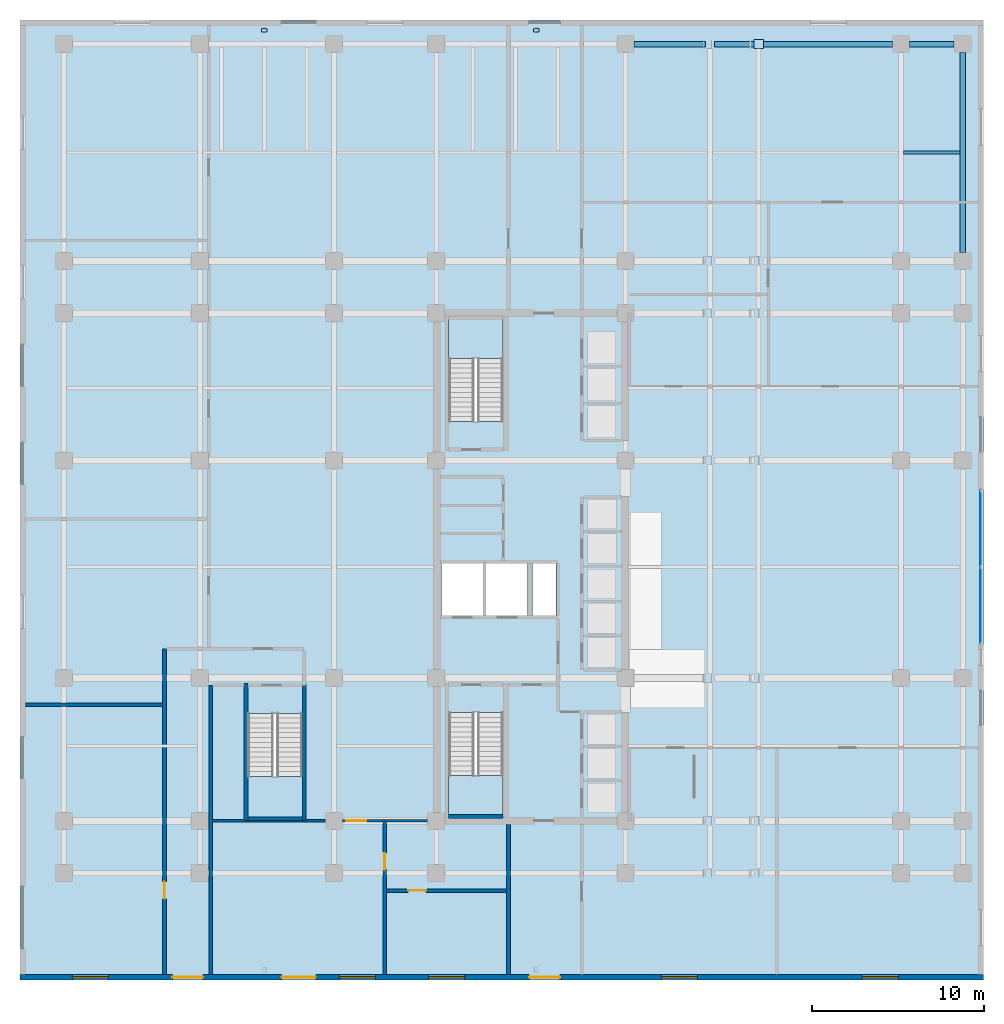
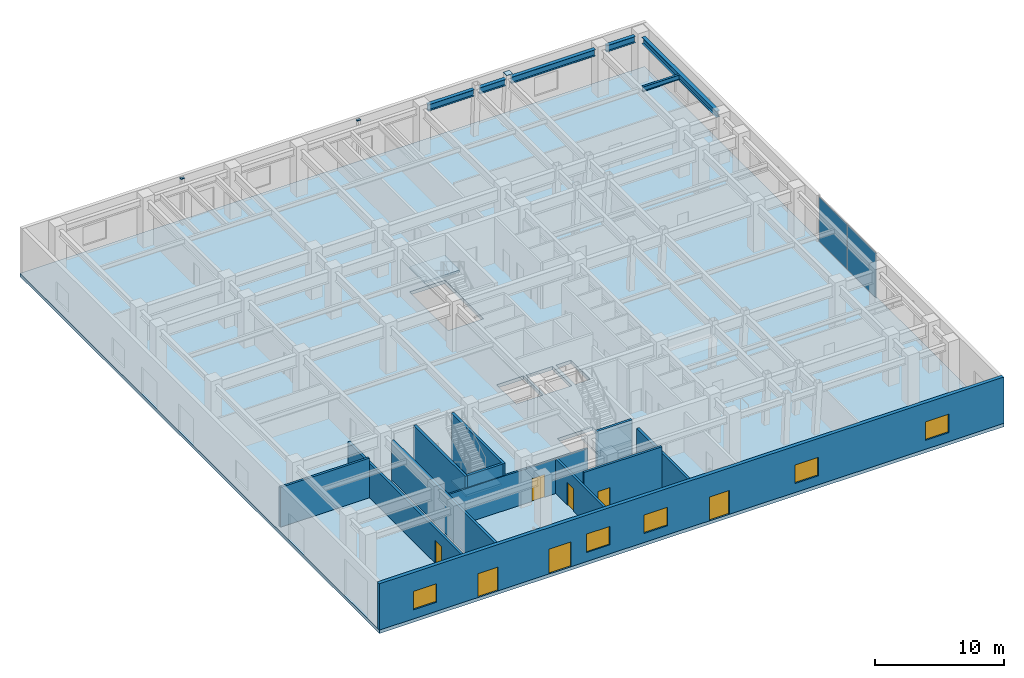
# One storey, part 7 of 13: 12 walls, 7 doors, 6 beams, 5 plates, 5 windows, 4 slabs, 12 openings, 4 elements without a shape of their own.
"""IFC4 building model written with IfcOpenShell, lengths in metres."""

from ifc_helpers import new_model, si_unit, direction, frame, frame_2d, origin, origin_2d, place, context, subcontext, project, spatial, polyline, rectangle, i_section, outline, extrude, material, layer, layer_set, material_profile, profile_set, type_object, element, fill, aggregate, save


model = new_model("IFC4")

# Units and contexts
model_context = context("Model", 3, precision=1e-05, world=origin(), true_north=direction((0.0, 1.0)))
body_context = subcontext(model_context, "Body", "Model", "MODEL_VIEW")
ifc_project = project(units=[si_unit("LENGTHUNIT", "METRE"), si_unit("AREAUNIT", "SQUARE_METRE"), si_unit("VOLUMEUNIT", "CUBIC_METRE"), si_unit("PLANEANGLEUNIT", "RADIAN"), si_unit("MASSUNIT", "GRAM", prefix="KILO")], contexts=[model_context])

# Site, building, storey
site_placement = place(None, origin())
site = spatial("IfcSite", under=ifc_project, at=site_placement, CompositionType="ELEMENT")
building_placement = place(site_placement, origin())
building = spatial("IfcBuilding", under=site, at=building_placement, Name="Ochreholt Gables", CompositionType="ELEMENT")
storey_placement = place(building_placement, origin())
storey = spatial("IfcBuildingStorey", under=building, at=storey_placement, Name="L00", CompositionType="ELEMENT", Elevation=0.0)

# Beams
ifc_material_1 = material(Name="Steel CSA G40.21 350W", Category="steel")
ifc_material_profile_1 = material_profile(ifc_material_1, i_section(OverallWidth=0.18994140625, OverallDepth=0.45703125, WebThickness=0.009033203125, FlangeThickness=0.014404296875, at=origin_2d()), Name="W460X74")
ifc_profile_set_1 = profile_set([ifc_material_profile_1], Name="Steel CSA G40.21 350W")
beam_type_1 = type_object("IfcBeamType", Name="BM-J-W460B", PredefinedType="JOIST", material=ifc_profile_set_1)
beam_1_placement = place(storey_placement, frame((51.3466796875, 48.10009765625, 4.16162109375), z_axis=(1.0, 0.0, 0.0), x_axis=(0.0, 1.0, 0.0)))
element("IfcBeam", 1, at=beam_1_placement, inside=storey, type_object=beam_type_1, Name="L00 Beam BJ-L00-J4-E3E4", PredefinedType="JOIST", context=body_context, shape_type="SweptSolid", body=[
    extrude(i_section(OverallWidth=0.18994140625, OverallDepth=0.45703125, WebThickness=0.009033203125, FlangeThickness=0.014404296875, at=origin_2d()), origin(), (0.0, 0.0, 1.0), 3.291748046875),
])
ifc_material_profile_2 = material_profile(ifc_material_1, i_section(OverallWidth=0.323974609375, OverallDepth=0.611083984375, WebThickness=0.0126953125, FlangeThickness=0.01904296875, at=origin_2d()), Name="W610X155")
ifc_profile_set_2 = profile_set([ifc_material_profile_2], Name="Steel CSA G40.21 350W")
beam_type_2 = type_object("IfcBeamType", Name="BM-SP-W610", PredefinedType="SPANDREL", material=ifc_profile_set_2)
beam_2_placement = place(storey_placement, frame((35.69970703125, 54.39990234375, 4.08447265625), z_axis=(1.0, 0.0, 0.0), x_axis=(0.0, 1.0, 0.0)))
element("IfcBeam", 2, at=beam_2_placement, inside=storey, type_object=beam_type_2, Name="L00 Beam BG-L00-C2EM-Y7", PredefinedType="SPANDREL", context=body_context, shape_type="SweptSolid", body=[
    extrude(i_section(OverallWidth=0.323974609375, OverallDepth=0.611083984375, WebThickness=0.0126953125, FlangeThickness=0.01904296875, at=origin_2d()), origin(), (0.0, 0.0, 1.0), 4.15478515625),
])
beam_3_placement = place(storey_placement, frame((40.353515625, 54.39990234375, 4.08447265625), z_axis=(1.0, 0.0, 0.0), x_axis=(0.0, 1.0, 0.0)))
element("IfcBeam", 3, at=beam_3_placement, inside=storey, type_object=beam_type_2, Name="L00 Beam BG-L00-EMEE-Y7", PredefinedType="SPANDREL", context=body_context, shape_type="SweptSolid", body=[
    extrude(i_section(OverallWidth=0.323974609375, OverallDepth=0.611083984375, WebThickness=0.0126953125, FlangeThickness=0.01904296875, at=origin_2d()), origin(), (0.0, 0.0, 1.0), 2.33203125),
])
beam_4_placement = place(storey_placement, frame((43.184814453125, 54.39990234375, 4.08447265625), z_axis=(1.0, 0.0, 0.0), x_axis=(0.0, 1.0, 0.0)))
element("IfcBeam", 4, at=beam_4_placement, inside=storey, type_object=beam_type_2, Name="L00 Beam BG-L00-EEE3-Y7", PredefinedType="SPANDREL", context=body_context, shape_type="SweptSolid", body=[
    extrude(i_section(OverallWidth=0.323974609375, OverallDepth=0.611083984375, WebThickness=0.0126953125, FlangeThickness=0.01904296875, at=origin_2d()), origin(), (0.0, 0.0, 1.0), 7.515625),
])
beam_5_placement = place(storey_placement, frame((51.69970703125, 54.39990234375, 4.08447265625), z_axis=(1.0, 0.0, 0.0), x_axis=(0.0, 1.0, 0.0)))
element("IfcBeam", 5, at=beam_5_placement, inside=storey, type_object=beam_type_2, Name="L00 Beam BG-L00-E3E4-Y7", PredefinedType="SPANDREL", context=body_context, shape_type="SweptSolid", body=[
    extrude(i_section(OverallWidth=0.323974609375, OverallDepth=0.611083984375, WebThickness=0.0126953125, FlangeThickness=0.01904296875, at=origin_2d()), origin(), (0.0, 0.0, 1.0), 2.6005859375),
])
beam_6_placement = place(storey_placement, frame((54.800048828125, 42.299560546875, 4.08447265625), z_axis=(0.0, 1.0, 0.0), x_axis=(-1.0, 0.0, 0.0)))
element("IfcBeam", 6, at=beam_6_placement, inside=storey, type_object=beam_type_2, Name="L00 Beam BG-L00-E4-Y6Y7", PredefinedType="SPANDREL", context=body_context, shape_type="SweptSolid", body=[
    extrude(i_section(OverallWidth=0.323974609375, OverallDepth=0.611083984375, WebThickness=0.0126953125, FlangeThickness=0.01904296875, at=origin_2d()), origin(), (0.0, 0.0, 1.0), 11.600830078125),
])

# Curtain wall, plates
ifc_material_2 = material(Name="Unitised Aluminium and Triple Glazing", Category="aluminium")
ifc_layer_1 = layer(ifc_material_2, 0.199951171875, Name="Unitised Aluminium and Triple Glazing")
ifc_layer_set_1 = layer_set([ifc_layer_1], Name="Unitised Aluminium and Triple Glazing")
curtain_wall_type = type_object("IfcCurtainWallType", Name="CW-SYS1", PredefinedType="NOTDEFINED", material=ifc_layer_set_1)
curtain_wall_placement = place(storey_placement, origin())
curtain_wall = element("IfcCurtainWall", 7, at=curtain_wall_placement, inside=storey, type_object=curtain_wall_type, Name="L00 Main Lobby Curtain Wall", PredefinedType="NOTDEFINED")
ifc_material_3 = material(Name="Triple Low-E Insulating Glass", Category="glass")
ifc_layer_2 = layer(ifc_material_3, 0.035888671875, Name="Triple Low-E Insulating Glass")
ifc_layer_set_2 = layer_set([ifc_layer_2], Name="Triple Low-E Insulating Glass")
plate_type_1 = type_object("IfcPlateType", Name="CW-PNL-36", PredefinedType="CURTAIN_PANEL", material=ifc_layer_set_2)
plate_1_placement = place(storey_placement, frame((55.840087890625, 21.768798828125, 0.0751953125), z_axis=(0.0, 0.0, 1.0), x_axis=(0.0, 1.0, 0.0)))
plate_1 = element("IfcPlate", 8, at=plate_1_placement, type_object=plate_type_1, Name="CW-1 panel 1.1", PredefinedType="CURTAIN_PANEL", context=body_context, shape_type="SweptSolid", body=[
    extrude(rectangle(XDim=4.387451171875, YDim=0.035888671875, at=origin_2d()), origin(), (0.0, 0.0, 1.0), 4.239990234375),
])
plate_2_placement = place(storey_placement, frame((55.840087890625, 26.231201171875, 0.0751953125), z_axis=(0.0, 0.0, 1.0), x_axis=(0.0, 1.0, 0.0)))
plate_2 = element("IfcPlate", 9, at=plate_2_placement, type_object=plate_type_1, Name="CW-1 panel 2.1", PredefinedType="CURTAIN_PANEL", context=body_context, shape_type="SweptSolid", body=[
    extrude(rectangle(XDim=4.387451171875, YDim=0.035888671875, at=origin_2d()), origin(), (0.0, 0.0, 1.0), 4.239990234375),
])
aggregate(curtain_wall, [plate_1, plate_2])

# Stair, slab
ifc_material_4 = material(Name="Concrete 40 MPa", Category="concrete")
stair_type_1 = type_object("IfcStairType", Name="STAIR-CORE-ST-1", PredefinedType="HALF_TURN_STAIR", material=ifc_material_4)
stair_1_placement = place(storey_placement, origin())
stair_1 = element("IfcStair", 10, at=stair_1_placement, inside=storey, type_object=stair_type_1, Name="L00 Core Exit Stair 1", PredefinedType="HALF_TURN_STAIR")
ifc_layer_3 = layer(ifc_material_4, 0.199951171875, Name="Concrete 40 MPa")
ifc_layer_set_3 = layer_set([ifc_layer_3], Name="Concrete 40 MPa")
slab_type_1 = type_object("IfcSlabType", Name="LANDING-RC200", PredefinedType="LANDING", material=ifc_layer_set_3)
slab_1_placement = place(storey_placement, frame((0.0, 0.0, 2.199951171875)))
slab_1 = element("IfcSlab", 11, at=slab_1_placement, type_object=slab_type_1, Name="ST-1 landing 1", PredefinedType="LANDING", context=body_context, shape_type="SweptSolid", body=[
    extrude(outline(polyline([(24.919921875, 11.8740234375), (24.919921875, 9.52001953125), (28.080078125, 9.52001953125), (28.080078125, 11.8740234375), (24.919921875, 11.8740234375)])), origin(), (0.0, 0.0, 1.0), 0.199951171875),
])
aggregate(stair_1, [slab_1])

stair_type_2 = type_object("IfcStairType", Name="STAIR-CORE-ST-2", PredefinedType="HALF_TURN_STAIR", material=ifc_material_4)
stair_2_placement = place(storey_placement, origin())
stair_2 = element("IfcStair", 12, at=stair_2_placement, inside=storey, type_object=stair_type_2, Name="L00 Core Exit Stair 2", PredefinedType="HALF_TURN_STAIR")
slab_2_placement = place(storey_placement, frame((0.0, 0.0, 2.199951171875)))
slab_2 = element("IfcSlab", 13, at=slab_2_placement, type_object=slab_type_1, Name="ST-2 landing 1", PredefinedType="LANDING", context=body_context, shape_type="SweptSolid", body=[
    extrude(outline(polyline([(28.080078125, 36.1259765625), (28.080078125, 38.47998046875), (24.919921875, 38.47998046875), (24.919921875, 36.1259765625), (28.080078125, 36.1259765625)])), origin(), (0.0, 0.0, 1.0), 0.199951171875),
])
aggregate(stair_2, [slab_2])

stair_type_3 = type_object("IfcStairType", Name="STAIR-CORE-ST-P1", PredefinedType="HALF_TURN_STAIR", material=ifc_material_4)
stair_3_placement = place(storey_placement, origin())
stair_3 = element("IfcStair", 14, at=stair_3_placement, inside=storey, type_object=stair_type_3, Name="L00 Podium Exit Stair 3", PredefinedType="HALF_TURN_STAIR")
slab_3_placement = place(storey_placement, frame((0.0, 0.0, 2.199951171875)))
slab_3 = element("IfcSlab", 15, at=slab_3_placement, type_object=slab_type_1, Name="ST-P1 landing 1", PredefinedType="LANDING", context=body_context, shape_type="SweptSolid", body=[
    extrude(outline(polyline([(13.25, 11.833984375), (13.25, 9.47998046875), (16.409912109375, 9.47998046875), (16.409912109375, 11.833984375), (13.25, 11.833984375)])), origin(), (0.0, 0.0, 1.0), 0.199951171875),
])
aggregate(stair_3, [slab_3])

# Plates
ifc_layer_4 = layer(ifc_material_1, 0.02490234375, Name="Steel CSA G40.21 350W")
ifc_layer_set_4 = layer_set([ifc_layer_4], Name="Steel CSA G40.21 350W")
plate_type_2 = type_object("IfcPlateType", Name="PL-ECP", PredefinedType="USERDEFINED", material=ifc_layer_set_4)
plate_3_placement = place(storey_placement, frame((42.933837890625, 54.39990234375, 4.774658203125), z_axis=(0.0, 0.0, 1.0), x_axis=(1.0, 0.0, 0.0)))
element("IfcPlate", 16, at=plate_3_placement, inside=storey, type_object=plate_type_2, Name="L00 Hollow Column Welded End Cap Plate EEY7", ObjectType="END CAP PLATE", PredefinedType="USERDEFINED", context=body_context, shape_type="SweptSolid", body=[
    extrude(rectangle(XDim=0.5400390625, YDim=0.5400390625, at=origin_2d()), origin(), (0.0, 0.0, 1.0), 0.02490234375),
])
for number, where, z_axis, x_axis, name in (
    (17, (14.199951171875, 55.199951171875, 4.3896484375), (0.0, 0.0, 1.0), (1.0, 0.0, 0.0), "L00 Engaged Pilaster Welded End Cap Plate PL3"),
    (18, (30.0, 55.199951171875, 4.3896484375), (0.0, 0.0, 1.0), (1.0, 0.0, 0.0), "L00 Engaged Pilaster Welded End Cap Plate PL4"),
):
    element("IfcPlate", number, at=place(storey_placement, frame(where, z_axis=z_axis, x_axis=x_axis)), inside=storey, type_object=plate_type_2, Name=name, ObjectType="END CAP PLATE", PredefinedType="USERDEFINED", context=body_context, shape_type="SweptSolid", body=[
        extrude(rectangle(XDim=0.320068359375, YDim=0.219970703125, at=origin_2d()), origin(), (0.0, 0.0, 1.0), 0.02490234375),
    ])

# Slab
ifc_material_5 = material(Name="Concrete 50 MPa", Category="concrete")
ifc_layer_5 = layer(ifc_material_5, 0.320068359375, Name="Concrete 50 MPa")
ifc_layer_set_5 = layer_set([ifc_layer_5], Name="Concrete 50 MPa")
slab_type_2 = type_object("IfcSlabType", Name="SLAB-POD-320", PredefinedType="FLOOR", material=ifc_layer_set_5)
slab_4_placement = place(storey_placement, frame((0.0, 0.0, -0.320068359375)))
element("IfcSlab", 19, at=slab_4_placement, inside=storey, type_object=slab_type_2, Name="L00 Structural Floor Slab", PredefinedType="FLOOR", context=body_context, shape_type="SweptSolid", body=[
    extrude(outline(polyline([(0.0, 0.0), (56.0, 0.0), (56.0, 55.800048828125), (0.0, 55.800048828125), (0.0, 0.0)]), holes=[polyline([(24.919921875, 15.539306640625), (24.919921875, 9.52001953125), (28.080078125, 9.52001953125), (28.080078125, 15.539306640625), (24.919921875, 15.539306640625)]), polyline([(28.080078125, 32.460693359375), (28.080078125, 38.47998046875), (24.919921875, 38.47998046875), (24.919921875, 32.460693359375), (28.080078125, 32.460693359375)]), polyline([(13.25, 15.499267578125), (13.25, 9.47998046875), (16.409912109375, 9.47998046875), (16.409912109375, 15.499267578125), (13.25, 15.499267578125)]), polyline([(24.5, 21.199951171875), (26.89990234375, 21.199951171875), (26.89990234375, 24.199951171875), (24.5, 24.199951171875), (24.5, 21.199951171875)]), polyline([(27.10009765625, 21.199951171875), (29.5, 21.199951171875), (29.5, 24.199951171875), (27.10009765625, 24.199951171875), (27.10009765625, 21.199951171875)]), polyline([(29.800048828125, 21.199951171875), (31.14990234375, 21.199951171875), (31.14990234375, 24.199951171875), (29.800048828125, 24.199951171875), (29.800048828125, 21.199951171875)])]), origin(), (0.0, 0.0, 1.0), 0.320068359375),
])

# Wall, openings, doors, windows
ifc_material_6 = material(Name="Precast concrete 40 MPa", Category="concrete")
ifc_layer_6 = layer(ifc_material_6, 0.320068359375, Name="Precast concrete 40 MPa")
ifc_layer_set_6 = layer_set([ifc_layer_6], Name="Precast concrete 40 MPa")
wall_type_1 = type_object("IfcWallType", Name="WALL-EXT-320", PredefinedType="SOLIDWALL", material=ifc_layer_set_6)
wall_1_placement = place(storey_placement, frame((0.0, 0.159912109375, 0.0), z_axis=(0.0, 0.0, 1.0), x_axis=(1.0, 0.0, 0.0)))
wall_1 = element("IfcWall", 20, at=wall_1_placement, inside=storey, type_object=wall_type_1, Name="L00 South Exterior Facade Wall", PredefinedType="SOLIDWALL", context=body_context, shape_type="SweptSolid", body=[
    extrude(rectangle(XDim=56.0, YDim=0.320068359375, at=frame_2d((28.0, 0.0))), origin(), (0.0, 0.0, 1.0), 4.389892578125),
])
opening_1_placement = place(wall_1_placement, frame((8.85009765625, 0.0, 0.0)))
opening_1 = element("IfcOpeningElement", 21, at=opening_1_placement, cuts=wall_1, Name="Opening D-EX2", PredefinedType="OPENING", context=body_context, shape_type="SweptSolid", body=[
    extrude(rectangle(XDim=1.800048828125, YDim=2.25, at=frame_2d((0.89990234375, 1.125))), frame((0.0, 0.169921875, 0.0), z_axis=(0.0, -1.0, 0.0), x_axis=(1.0, 0.0, 0.0)), (0.0, 0.0, 1.0), 0.340087890625),
])
opening_2_placement = place(wall_1_placement, frame((15.199951171875, 0.0, 0.0)))
opening_2 = element("IfcOpeningElement", 22, at=opening_2_placement, cuts=wall_1, Name="Opening D-EX1", PredefinedType="OPENING", context=body_context, shape_type="SweptSolid", body=[
    extrude(rectangle(XDim=2.0, YDim=2.35009765625, at=frame_2d((1.0, 1.175048828125))), frame((0.0, 0.169921875, 0.0), z_axis=(0.0, -1.0, 0.0), x_axis=(1.0, 0.0, 0.0)), (0.0, 0.0, 1.0), 0.340087890625),
])
opening_3_placement = place(wall_1_placement, frame((29.60009765625, 0.0, 0.0)))
opening_3 = element("IfcOpeningElement", 23, at=opening_3_placement, cuts=wall_1, Name="Opening D-EX2", PredefinedType="OPENING", context=body_context, shape_type="SweptSolid", body=[
    extrude(rectangle(XDim=1.800048828125, YDim=2.25, at=frame_2d((0.89990234375, 1.125))), frame((0.0, 0.169921875, 0.0), z_axis=(0.0, -1.0, 0.0), x_axis=(1.0, 0.0, 0.0)), (0.0, 0.0, 1.0), 0.340087890625),
])
opening_4_placement = place(wall_1_placement, frame((3.0400390625, 0.0, 0.85009765625)))
opening_4 = element("IfcOpeningElement", 24, at=opening_4_placement, cuts=wall_1, Name="Opening WN-4", PredefinedType="OPENING", context=body_context, shape_type="SweptSolid", body=[
    extrude(rectangle(XDim=2.10009765625, YDim=1.75, at=frame_2d((1.050048828125, 0.875))), frame((0.0, 0.169921875, 0.0), z_axis=(0.0, -1.0, 0.0), x_axis=(1.0, 0.0, 0.0)), (0.0, 0.0, 1.0), 0.340087890625),
])
opening_5_placement = place(wall_1_placement, frame((18.56005859375, 0.0, 0.85009765625)))
opening_5 = element("IfcOpeningElement", 25, at=opening_5_placement, cuts=wall_1, Name="Opening WN-4", PredefinedType="OPENING", context=body_context, shape_type="SweptSolid", body=[
    extrude(rectangle(XDim=2.10009765625, YDim=1.75, at=frame_2d((1.050048828125, 0.875))), frame((0.0, 0.169921875, 0.0), z_axis=(0.0, -1.0, 0.0), x_axis=(1.0, 0.0, 0.0)), (0.0, 0.0, 1.0), 0.340087890625),
])
opening_6_placement = place(wall_1_placement, frame((23.7451171875, 0.0, 0.85009765625)))
opening_6 = element("IfcOpeningElement", 26, at=opening_6_placement, cuts=wall_1, Name="Opening WN-4", PredefinedType="OPENING", context=body_context, shape_type="SweptSolid", body=[
    extrude(rectangle(XDim=2.10009765625, YDim=1.75, at=frame_2d((1.050048828125, 0.875))), frame((0.0, 0.169921875, 0.0), z_axis=(0.0, -1.0, 0.0), x_axis=(1.0, 0.0, 0.0)), (0.0, 0.0, 1.0), 0.340087890625),
])
opening_7_placement = place(wall_1_placement, frame((37.27490234375, 0.0, 0.85009765625)))
opening_7 = element("IfcOpeningElement", 27, at=opening_7_placement, cuts=wall_1, Name="Opening WN-4", PredefinedType="OPENING", context=body_context, shape_type="SweptSolid", body=[
    extrude(rectangle(XDim=2.10009765625, YDim=1.75, at=frame_2d((1.050048828125, 0.875))), frame((0.0, 0.169921875, 0.0), z_axis=(0.0, -1.0, 0.0), x_axis=(1.0, 0.0, 0.0)), (0.0, 0.0, 1.0), 0.340087890625),
])
opening_8_placement = place(wall_1_placement, frame((48.949951171875, 0.0, 0.85009765625)))
opening_8 = element("IfcOpeningElement", 28, at=opening_8_placement, cuts=wall_1, Name="Opening WN-4", PredefinedType="OPENING", context=body_context, shape_type="SweptSolid", body=[
    extrude(rectangle(XDim=2.10009765625, YDim=1.75, at=frame_2d((1.050048828125, 0.875))), frame((0.0, 0.169921875, 0.0), z_axis=(0.0, -1.0, 0.0), x_axis=(1.0, 0.0, 0.0)), (0.0, 0.0, 1.0), 0.340087890625),
])
ifc_material_7 = material(Name="Thermally Broken Insulated Steel and Glass Door", Category="steel")
door_type_1 = type_object("IfcDoorType", Name="DR-EXT-ENT2000", OperationType="NOTDEFINED", PredefinedType="DOOR", material=ifc_material_7)
door_1_placement = place(opening_2_placement, frame((2.0, 0.0, 0.0), z_axis=(0.0, 0.0, 1.0), x_axis=(-1.0, 0.0, 0.0)))
door_1 = element("IfcDoor", 29, at=door_1_placement, inside=storey, type_object=door_type_1, Name="L00 South Concourse Exit Door", OperationType="SINGLE_SWING_LEFT", OverallHeight=2.35009765625, OverallWidth=2.0, PredefinedType="DOOR", context=body_context, shape_type="SweptSolid", body=[
    extrude(rectangle(XDim=2.0, YDim=2.35009765625, at=frame_2d((1.0, 1.175048828125))), frame((0.0, 0.02490234375, 0.0), z_axis=(0.0, -1.0, 0.0), x_axis=(1.0, 0.0, 0.0)), (0.0, 0.0, 1.0), 0.050048828125),
])
fill(opening_2, door_1)
door_type_2 = type_object("IfcDoorType", Name="DR-EXT-ESC1800", OperationType="NOTDEFINED", PredefinedType="DOOR", material=ifc_material_7)
door_2_placement = place(opening_1_placement, frame((1.800048828125, 0.0, 0.0), z_axis=(0.0, 0.0, 1.0), x_axis=(-1.0, 0.0, 0.0)))
door_2 = element("IfcDoor", 30, at=door_2_placement, inside=storey, type_object=door_type_2, Name="L00 West Stair Final Exit Door", OperationType="SINGLE_SWING_LEFT", OverallHeight=2.25, OverallWidth=1.800048828125, PredefinedType="DOOR", context=body_context, shape_type="SweptSolid", body=[
    extrude(rectangle(XDim=1.800048828125, YDim=2.25, at=frame_2d((0.89990234375, 1.125))), frame((0.0, 0.02490234375, 0.0), z_axis=(0.0, -1.0, 0.0), x_axis=(1.0, 0.0, 0.0)), (0.0, 0.0, 1.0), 0.050048828125),
])
fill(opening_1, door_2)
door_3_placement = place(opening_3_placement, frame((1.800048828125, 0.0, 0.0), z_axis=(0.0, 0.0, 1.0), x_axis=(-1.0, 0.0, 0.0)))
door_3 = element("IfcDoor", 31, at=door_3_placement, inside=storey, type_object=door_type_2, Name="L00 South Core Final Exit Door", OperationType="SINGLE_SWING_LEFT", OverallHeight=2.25, OverallWidth=1.800048828125, PredefinedType="DOOR", context=body_context, shape_type="SweptSolid", body=[
    extrude(rectangle(XDim=1.800048828125, YDim=2.25, at=frame_2d((0.89990234375, 1.125))), frame((0.0, 0.02490234375, 0.0), z_axis=(0.0, -1.0, 0.0), x_axis=(1.0, 0.0, 0.0)), (0.0, 0.0, 1.0), 0.050048828125),
])
fill(opening_3, door_3)
ifc_material_8 = material(Name="Triple-Glazed Thermally Broken Aluminium Window", Category="aluminium")
window_type = type_object("IfcWindowType", Name="WIN-CLN-2100", PartitioningType="SINGLE_PANEL", PredefinedType="WINDOW", material=ifc_material_8)
window_1_placement = place(opening_4_placement, origin())
window_1 = element("IfcWindow", 32, at=window_1_placement, inside=storey, type_object=window_type, Name="L00 Window W-EXT-S-L00-1", OverallHeight=1.75, OverallWidth=2.10009765625, PartitioningType="SINGLE_PANEL", PredefinedType="WINDOW", context=body_context, shape_type="SweptSolid", body=[
    extrude(rectangle(XDim=2.10009765625, YDim=1.75, at=frame_2d((1.050048828125, 0.875))), frame((0.0, 0.030029296875, 0.0), z_axis=(0.0, -1.0, 0.0), x_axis=(1.0, 0.0, 0.0)), (0.0, 0.0, 1.0), 0.06005859375),
])
fill(opening_4, window_1)
window_2_placement = place(opening_5_placement, origin())
window_2 = element("IfcWindow", 33, at=window_2_placement, inside=storey, type_object=window_type, Name="L00 Window W-EXT-S-L00-2", OverallHeight=1.75, OverallWidth=2.10009765625, PartitioningType="SINGLE_PANEL", PredefinedType="WINDOW", context=body_context, shape_type="SweptSolid", body=[
    extrude(rectangle(XDim=2.10009765625, YDim=1.75, at=frame_2d((1.050048828125, 0.875))), frame((0.0, 0.030029296875, 0.0), z_axis=(0.0, -1.0, 0.0), x_axis=(1.0, 0.0, 0.0)), (0.0, 0.0, 1.0), 0.06005859375),
])
fill(opening_5, window_2)
window_3_placement = place(opening_6_placement, origin())
window_3 = element("IfcWindow", 34, at=window_3_placement, inside=storey, type_object=window_type, Name="L00 Window W-EXT-S-L00-3", OverallHeight=1.75, OverallWidth=2.10009765625, PartitioningType="SINGLE_PANEL", PredefinedType="WINDOW", context=body_context, shape_type="SweptSolid", body=[
    extrude(rectangle(XDim=2.10009765625, YDim=1.75, at=frame_2d((1.050048828125, 0.875))), frame((0.0, 0.030029296875, 0.0), z_axis=(0.0, -1.0, 0.0), x_axis=(1.0, 0.0, 0.0)), (0.0, 0.0, 1.0), 0.06005859375),
])
fill(opening_6, window_3)
window_4_placement = place(opening_7_placement, origin())
window_4 = element("IfcWindow", 35, at=window_4_placement, inside=storey, type_object=window_type, Name="L00 Window W-EXT-S-L00-4", OverallHeight=1.75, OverallWidth=2.10009765625, PartitioningType="SINGLE_PANEL", PredefinedType="WINDOW", context=body_context, shape_type="SweptSolid", body=[
    extrude(rectangle(XDim=2.10009765625, YDim=1.75, at=frame_2d((1.050048828125, 0.875))), frame((0.0, 0.030029296875, 0.0), z_axis=(0.0, -1.0, 0.0), x_axis=(1.0, 0.0, 0.0)), (0.0, 0.0, 1.0), 0.06005859375),
])
fill(opening_7, window_4)
window_5_placement = place(opening_8_placement, origin())
window_5 = element("IfcWindow", 36, at=window_5_placement, inside=storey, type_object=window_type, Name="L00 Window W-EXT-S-L00-5", OverallHeight=1.75, OverallWidth=2.10009765625, PartitioningType="SINGLE_PANEL", PredefinedType="WINDOW", context=body_context, shape_type="SweptSolid", body=[
    extrude(rectangle(XDim=2.10009765625, YDim=1.75, at=frame_2d((1.050048828125, 0.875))), frame((0.0, 0.030029296875, 0.0), z_axis=(0.0, -1.0, 0.0), x_axis=(1.0, 0.0, 0.0)), (0.0, 0.0, 1.0), 0.06005859375),
])
fill(opening_8, window_5)

# Wall, opening, door
ifc_layer_7 = layer(ifc_material_4, 0.199951171875, Name="Concrete 40 MPa")
ifc_layer_set_7 = layer_set([ifc_layer_7], Name="Concrete 40 MPa")
wall_type_2 = type_object("IfcWallType", Name="WALL-INT-CF200", PredefinedType="STANDARD", material=ifc_layer_set_7)
wall_2_placement = place(storey_placement, frame((21.199951171875, 0.320068359375, 0.0), z_axis=(0.0, 0.0, 1.0), x_axis=(0.0, 1.0, 0.0)))
wall_2 = element("IfcWall", 37, at=wall_2_placement, inside=storey, type_object=wall_type_2, Name="L00 Interior Wall WI-FCC-W", PredefinedType="STANDARD", context=body_context, shape_type="SweptSolid", body=[
    extrude(rectangle(XDim=8.929931640625, YDim=0.199951171875, at=frame_2d((4.46484375, 0.0))), origin(), (0.0, 0.0, 1.0), 3.27197265625),
])
opening_9_placement = place(wall_2_placement, frame((6.10009765625, 0.0, 0.0)))
opening_9 = element("IfcOpeningElement", 38, at=opening_9_placement, cuts=wall_2, Name="Opening D-GN1", PredefinedType="OPENING", context=body_context, shape_type="SweptSolid", body=[
    extrude(rectangle(XDim=0.949951171875, YDim=2.14990234375, at=frame_2d((0.47509765625, 1.074951171875))), frame((0.0, 0.10986328125, 0.0), z_axis=(0.0, -1.0, 0.0), x_axis=(1.0, 0.0, 0.0)), (0.0, 0.0, 1.0), 0.219970703125),
])
ifc_material_9 = material(Name="Engineered Oak Timber", Category="wood")
door_type_3 = type_object("IfcDoorType", Name="DR-INT-GEN950", OperationType="NOTDEFINED", PredefinedType="DOOR", material=ifc_material_9)
door_4_placement = place(opening_9_placement, origin())
door_4 = element("IfcDoor", 39, at=door_4_placement, inside=storey, type_object=door_type_3, Name="L00 Door D-L00-CONC", OperationType="SINGLE_SWING_LEFT", OverallHeight=2.14990234375, OverallWidth=0.949951171875, PredefinedType="DOOR", context=body_context, shape_type="SweptSolid", body=[
    extrude(rectangle(XDim=0.949951171875, YDim=2.14990234375, at=frame_2d((0.47509765625, 1.074951171875))), frame((0.0, 0.02490234375, 0.0), z_axis=(0.0, -1.0, 0.0), x_axis=(1.0, 0.0, 0.0)), (0.0, 0.0, 1.0), 0.050048828125),
])
fill(opening_9, door_4)

wall_3_placement = place(storey_placement, frame((21.300048828125, 5.199951171875, 0.0), z_axis=(0.0, 0.0, 1.0), x_axis=(1.0, 0.0, 0.0)))
wall_3 = element("IfcWall", 40, at=wall_3_placement, inside=storey, type_object=wall_type_2, Name="L00 Interior Wall WI-FCC-N", PredefinedType="STANDARD", context=body_context, shape_type="SweptSolid", body=[
    extrude(rectangle(XDim=6.97998046875, YDim=0.199951171875, at=frame_2d((3.489990234375, 0.0))), origin(), (0.0, 0.0, 1.0), 4.389892578125),
])
opening_10_placement = place(wall_3_placement, frame((1.260009765625, 0.0, 0.0)))
opening_10 = element("IfcOpeningElement", 41, at=opening_10_placement, cuts=wall_3, Name="Opening D-FLB", PredefinedType="OPENING", context=body_context, shape_type="SweptSolid", body=[
    extrude(rectangle(XDim=1.050048828125, YDim=2.14990234375, at=frame_2d((0.52490234375, 1.074951171875))), frame((0.0, 0.10986328125, 0.0), z_axis=(0.0, -1.0, 0.0), x_axis=(1.0, 0.0, 0.0)), (0.0, 0.0, 1.0), 0.219970703125),
])
ifc_material_10 = material(Name="Hollow Metal Steel", Category="steel")
door_type_4 = type_object("IfcDoorType", Name="DR-INT-FLB1050", OperationType="NOTDEFINED", PredefinedType="DOOR", material=ifc_material_10)
door_5_placement = place(opening_10_placement, origin())
door_5 = element("IfcDoor", 42, at=door_5_placement, inside=storey, type_object=door_type_4, Name="L00 Door D-FCC-INT", OperationType="SINGLE_SWING_LEFT", OverallHeight=2.14990234375, OverallWidth=1.050048828125, PredefinedType="DOOR", context=body_context, shape_type="SweptSolid", body=[
    extrude(rectangle(XDim=1.050048828125, YDim=2.14990234375, at=frame_2d((0.52490234375, 1.074951171875))), frame((0.0, 0.02490234375, 0.0), z_axis=(0.0, -1.0, 0.0), x_axis=(1.0, 0.0, 0.0)), (0.0, 0.0, 1.0), 0.050048828125),
])
fill(opening_10, door_5)

# Wall
wall_4_placement = place(storey_placement, frame((0.320068359375, 16.0, 0.0), z_axis=(0.0, 0.0, 1.0), x_axis=(1.0, 0.0, 0.0)))
element("IfcWall", 43, at=wall_4_placement, inside=storey, type_object=wall_type_2, Name="L00 Interior Wall WI-L00-WY1", PredefinedType="STANDARD", context=body_context, shape_type="SweptSolid", body=[
    extrude(rectangle(XDim=7.969970703125, YDim=0.199951171875, at=frame_2d((3.98486328125, 0.0))), origin(), (0.0, 0.0, 1.0), 3.760986328125),
])

# Wall, opening, door
ifc_layer_8 = layer(ifc_material_4, 0.219970703125, Name="Concrete 40 MPa")
ifc_layer_set_8 = layer_set([ifc_layer_8], Name="Concrete 40 MPa")
wall_type_3 = type_object("IfcWallType", Name="WALL-INT-CF220", PredefinedType="STANDARD", material=ifc_layer_set_8)
wall_5_placement = place(storey_placement, frame((8.39990234375, 0.320068359375, 0.0), z_axis=(0.0, 0.0, 1.0), x_axis=(0.0, 1.0, 0.0)))
wall_5 = element("IfcWall", 44, at=wall_5_placement, inside=storey, type_object=wall_type_3, Name="L00 Interior Wall WI-EXP-P1W", PredefinedType="STANDARD", context=body_context, shape_type="SweptSolid", body=[
    extrude(rectangle(XDim=18.929931640625, YDim=0.219970703125, at=frame_2d((9.46484375, 0.0))), origin(), (0.0, 0.0, 1.0), 3.27197265625),
])
opening_11_placement = place(wall_5_placement, frame((4.39990234375, 0.0, 0.0)))
opening_11 = element("IfcOpeningElement", 45, at=opening_11_placement, cuts=wall_5, Name="Opening D-SV3", PredefinedType="OPENING", context=body_context, shape_type="SweptSolid", body=[
    extrude(rectangle(XDim=1.0, YDim=2.14990234375, at=frame_2d((0.5, 1.074951171875))), frame((0.0, 0.119873046875, 0.0), z_axis=(0.0, -1.0, 0.0), x_axis=(1.0, 0.0, 0.0)), (0.0, 0.0, 1.0), 0.239990234375),
])
door_type_5 = type_object("IfcDoorType", Name="DR-INT-SRV1000", OperationType="NOTDEFINED", PredefinedType="DOOR", material=ifc_material_10)
door_6_placement = place(opening_11_placement, origin())
door_6 = element("IfcDoor", 46, at=door_6_placement, inside=storey, type_object=door_type_5, Name="L00 Door D-L00-LDG", OperationType="SINGLE_SWING_LEFT", OverallHeight=2.14990234375, OverallWidth=1.0, PredefinedType="DOOR", context=body_context, shape_type="SweptSolid", body=[
    extrude(rectangle(XDim=1.0, YDim=2.14990234375, at=frame_2d((0.5, 1.074951171875))), frame((0.0, 0.02490234375, 0.0), z_axis=(0.0, -1.0, 0.0), x_axis=(1.0, 0.0, 0.0)), (0.0, 0.0, 1.0), 0.050048828125),
])
fill(opening_11, door_6)

# Walls
wall_6_placement = place(storey_placement, frame((11.090087890625, 0.320068359375, 0.0), z_axis=(0.0, 0.0, 1.0), x_axis=(0.0, 1.0, 0.0)))
element("IfcWall", 47, at=wall_6_placement, inside=storey, type_object=wall_type_3, Name="L00 Interior Wall WI-EXP-P1E", PredefinedType="STANDARD", context=body_context, shape_type="SweptSolid", body=[
    extrude(rectangle(XDim=16.809814453125, YDim=0.219970703125, at=frame_2d((8.40478515625, 0.0))), origin(), (0.0, 0.0, 1.0), 3.760986328125),
])
wall_7_placement = place(storey_placement, frame((28.389892578125, 0.320068359375, 0.0), z_axis=(0.0, 0.0, 1.0), x_axis=(0.0, 1.0, 0.0)))
element("IfcWall", 48, at=wall_7_placement, inside=storey, type_object=wall_type_3, Name="L00 Interior Wall WI-EXP-SCW", PredefinedType="STANDARD", context=body_context, shape_type="SweptSolid", body=[
    extrude(rectangle(XDim=8.704833984375, YDim=0.219970703125, at=frame_2d((4.3525390625, 0.0))), origin(), (0.0, 0.0, 1.0), 3.760986328125),
])

# Wall, opening, door
ifc_material_11 = material(Name="Gypsum Acoustic Stud Partition", Category="gypsum")
ifc_layer_9 = layer(ifc_material_11, 0.159912109375, Name="Gypsum Acoustic Stud Partition")
ifc_layer_set_9 = layer_set([ifc_layer_9], Name="Gypsum Acoustic Stud Partition")
wall_type_4 = type_object("IfcWallType", Name="WALL-INT-PT160", PredefinedType="PARTITIONING", material=ifc_layer_set_9)
wall_8_placement = place(storey_placement, frame((11.199951171875, 9.25, 0.0), z_axis=(0.0, 0.0, 1.0), x_axis=(1.0, 0.0, 0.0)))
wall_8 = element("IfcWall", 49, at=wall_8_placement, inside=storey, type_object=wall_type_4, Name="L00 Interior Wall WI-L00-LOBDIV", PredefinedType="PARTITIONING", context=body_context, shape_type="SweptSolid", body=[
    extrude(rectangle(XDim=12.800048828125, YDim=0.159912109375, at=frame_2d((6.39990234375, 0.0))), origin(), (0.0, 0.0, 1.0), 3.27197265625),
])
opening_12_placement = place(wall_8_placement, frame((7.77001953125, 0.0, 0.0)))
opening_12 = element("IfcOpeningElement", 50, at=opening_12_placement, cuts=wall_8, Name="Opening D-CM1", PredefinedType="OPENING", context=body_context, shape_type="SweptSolid", body=[
    extrude(rectangle(XDim=1.14990234375, YDim=2.14990234375, at=frame_2d((0.574951171875, 1.074951171875))), frame((0.0, 0.08984375, 0.0), z_axis=(0.0, -1.0, 0.0), x_axis=(1.0, 0.0, 0.0)), (0.0, 0.0, 1.0), 0.179931640625),
])
door_type_6 = type_object("IfcDoorType", Name="DR-INT-COM1150", OperationType="NOTDEFINED", PredefinedType="DOOR", material=ifc_material_9)
door_7_placement = place(opening_12_placement, origin())
door_7 = element("IfcDoor", 51, at=door_7_placement, inside=storey, type_object=door_type_6, Name="L00 Door D-L00-WLOB", OperationType="SINGLE_SWING_RIGHT", OverallHeight=2.14990234375, OverallWidth=1.14990234375, PredefinedType="DOOR", context=body_context, shape_type="SweptSolid", body=[
    extrude(rectangle(XDim=1.14990234375, YDim=2.14990234375, at=frame_2d((0.574951171875, 1.074951171875))), frame((0.0, 0.02490234375, 0.0), z_axis=(0.0, -1.0, 0.0), x_axis=(1.0, 0.0, 0.0)), (0.0, 0.0, 1.0), 0.050048828125),
])
fill(opening_12, door_7)

# Walls
ifc_layer_10 = layer(ifc_material_5, 0.219970703125, Name="Concrete 50 MPa")
ifc_layer_set_10 = layer_set([ifc_layer_10], Name="Concrete 50 MPa")
wall_type_5 = type_object("IfcWallType", Name="WALL-STW-220", PredefinedType="SHEAR", material=ifc_layer_set_10)
wall_9_placement = place(storey_placement, frame((24.919921875, 9.510009765625, 0.0), z_axis=(0.0, 0.0, 1.0), x_axis=(1.0, 0.0, 0.0)))
element("IfcWall", 52, at=wall_9_placement, inside=storey, type_object=wall_type_5, Name="L00 Exit Stair 1 South Wall", PredefinedType="SHEAR", context=body_context, shape_type="SweptSolid", body=[
    extrude(rectangle(XDim=3.16015625, YDim=0.219970703125, at=frame_2d((1.580078125, 0.0))), origin(), (0.0, 0.0, 1.0), 4.389892578125),
])
for number, where, z_axis, x_axis, name in (
    (53, (13.139892578125, 9.260009765625, 0.0), (0.0, 0.0, 1.0), (0.0, 1.0, 0.0), "L00 Podium Stair West Wall"),
    (54, (16.52001953125, 9.260009765625, 0.0), (0.0, 0.0, 1.0), (0.0, 1.0, 0.0), "L00 Podium Stair East Wall"),
):
    element("IfcWall", number, at=place(storey_placement, frame(where, z_axis=z_axis, x_axis=x_axis)), inside=storey, type_object=wall_type_5, Name=name, PredefinedType="SHEAR", context=body_context, shape_type="SweptSolid", body=[
        extrude(rectangle(XDim=7.97998046875, YDim=0.219970703125, at=frame_2d((3.989990234375, 0.0))), origin(), (0.0, 0.0, 1.0), 4.389892578125),
    ])
wall_10_placement = place(storey_placement, frame((13.25, 9.3701171875, 0.0), z_axis=(0.0, 0.0, 1.0), x_axis=(1.0, 0.0, 0.0)))
element("IfcWall", 55, at=wall_10_placement, inside=storey, type_object=wall_type_5, Name="L00 Podium Stair South Wall", PredefinedType="SHEAR", context=body_context, shape_type="SweptSolid", body=[
    extrude(rectangle(XDim=3.159912109375, YDim=0.219970703125, at=frame_2d((1.580078125, 0.0))), origin(), (0.0, 0.0, 1.0), 4.389892578125),
])

save(model, "model.ifc")
